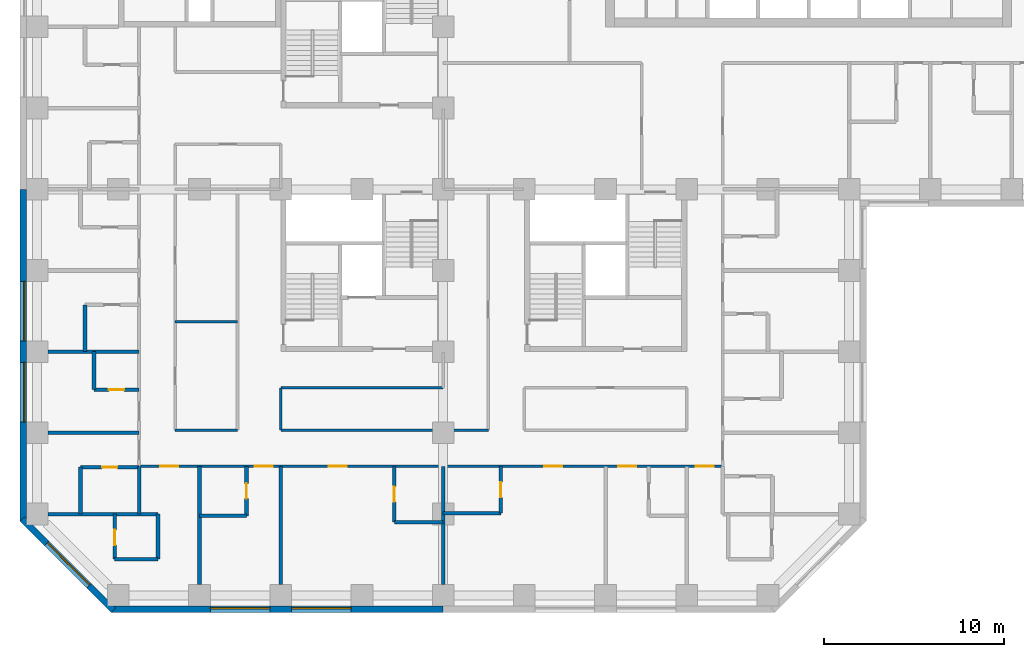
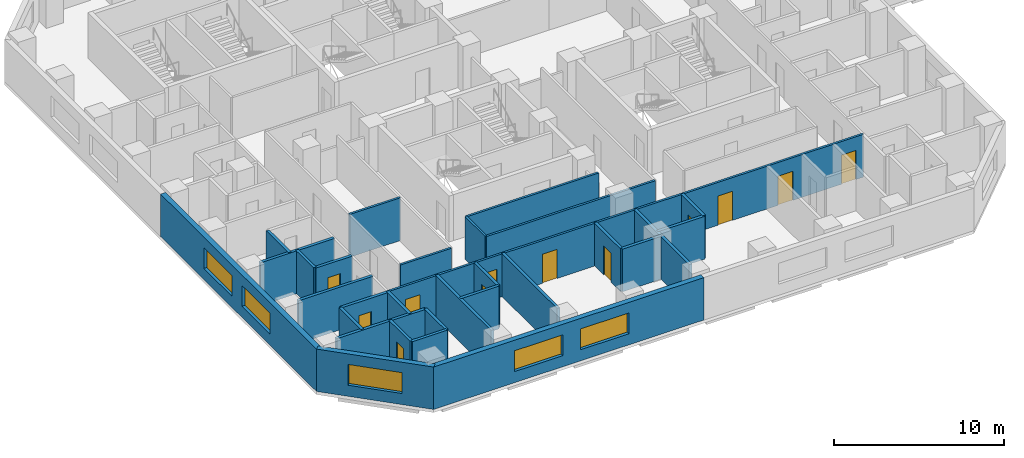
# One storey, part 2 of 12: 30 walls, 12 doors, 5 windows, 17 openings.
"""IFC4 building model written with IfcOpenShell, lengths in metres."""

from ifc_helpers import new_model, si_unit, direction, frame, frame_2d, origin, place, context, subcontext, project, spatial, rectangle, extrude, material, layer, layer_set, constituent, constituent_set, type_object, element, fill, save


model = new_model("IFC4")

# Units and contexts
model_context = context("Model", 3, precision=1e-05, world=origin(), true_north=direction((0.0, 1.0)))
body_context = subcontext(model_context, "Body", "Model", "MODEL_VIEW")
ifc_project = project(units=[si_unit("LENGTHUNIT", "METRE"), si_unit("AREAUNIT", "SQUARE_METRE"), si_unit("VOLUMEUNIT", "CUBIC_METRE"), si_unit("PLANEANGLEUNIT", "RADIAN"), si_unit("MASSUNIT", "GRAM", prefix="KILO")], contexts=[model_context])

# Site, building, storey
site_placement = place(None, origin())
site = spatial("IfcSite", under=ifc_project, at=site_placement, CompositionType="ELEMENT")
building_placement = place(site_placement, origin())
building = spatial("IfcBuilding", under=site, at=building_placement, Name="Quoin Convention Tower", CompositionType="ELEMENT")
storey_placement = place(building_placement, frame((0.0, 0.0, 59.39990234375)))
storey = spatial("IfcBuildingStorey", under=building, at=storey_placement, Name="L15", CompositionType="ELEMENT", Elevation=59.39990234375)

# Wall, opening, window
ifc_material_1 = material(Name="Brick masonry", Category="masonry")
ifc_layer_1 = layer(ifc_material_1, 0.35009765625)
ifc_layer_set_1 = layer_set([ifc_layer_1], Name="Brick masonry")
wall_type_1 = type_object("IfcWallType", Name="Brick facade wall", PredefinedType="STANDARD", material=ifc_layer_set_1)
wall_1_placement = place(storey_placement, frame((12.673583984375, 22.230224609375, 0.0), z_axis=(0.0, 0.0, 1.0), x_axis=(0.707106781187, -0.707106781187, 0.0)))
wall_1 = element("IfcWall", 1, at=wall_1_placement, inside=storey, type_object=wall_type_1, Name="fw-L15-13500_22500", PredefinedType="STANDARD", context=body_context, shape_type="SweptSolid", body=[
    extrude(rectangle(XDim=7.151123046875, YDim=0.35009765625, at=frame_2d((3.57568359375, 0.0))), origin(), (0.0, 0.0, 1.0), 3.05517578125),
])
opening_1_placement = place(wall_1_placement, frame((1.925537109375, 0.0, 0.800048828125)))
opening_1 = element("IfcOpeningElement", 2, at=opening_1_placement, cuts=wall_1, Name="Opening W-01", PredefinedType="OPENING", context=body_context, shape_type="SweptSolid", body=[
    extrude(rectangle(XDim=3.300048828125, YDim=1.5, at=frame_2d((1.64990234375, 0.75))), frame((0.0, 0.18505859375, 0.0), z_axis=(0.0, -1.0, 0.0), x_axis=(1.0, 0.0, 0.0)), (0.0, 0.0, 1.0), 0.3701171875),
])
ifc_material_2 = material(Name="Aluminium", Category="aluminium")
ifc_constituent_1 = constituent(ifc_material_2, Name="Frame")
ifc_material_3 = material(Name="Insulated glass", Category="glass")
ifc_constituent_2 = constituent(ifc_material_3, Name="Glazing")
ifc_constituent_set = constituent_set(constituents=[ifc_constituent_1, ifc_constituent_2], Name="Aluminium")
window_type = type_object("IfcWindowType", Name="Hotel strip window", PartitioningType="DOUBLE_PANEL_VERTICAL", PredefinedType="WINDOW", material=ifc_constituent_set)
window_1_placement = place(opening_1_placement, origin())
window_1 = element("IfcWindow", 3, at=window_1_placement, inside=storey, type_object=window_type, Name="win-L15-15202_19702", OverallHeight=1.5, OverallWidth=3.300048828125, PartitioningType="SINGLE_PANEL", PredefinedType="WINDOW", context=body_context, shape_type="SweptSolid", body=[
    extrude(rectangle(XDim=3.300048828125, YDim=1.5, at=frame_2d((1.64990234375, 0.75))), frame((0.0, 0.0849609375, 0.0), z_axis=(0.0, -1.0, 0.0), x_axis=(1.0, 0.0, 0.0)), (0.0, 0.0, 1.0), 0.06005859375),
])
fill(opening_1, window_1)

# Wall, openings, windows
wall_2_placement = place(storey_placement, frame((17.6064453125, 17.22509765625, 0.0), z_axis=(0.0, 0.0, 1.0), x_axis=(1.0, 0.0, 0.0)))
wall_2 = element("IfcWall", 4, at=wall_2_placement, inside=storey, type_object=wall_type_1, Name="fw-L15-18000_18000", PredefinedType="STANDARD", context=body_context, shape_type="SweptSolid", body=[
    extrude(rectangle(XDim=18.3935546875, YDim=0.35009765625, at=frame_2d((9.19677734375, 0.0))), origin(), (0.0, 0.0, 1.0), 3.05517578125),
])
opening_2_placement = place(wall_2_placement, frame((5.493408203125, 0.0, 0.800048828125)))
opening_2 = element("IfcOpeningElement", 5, at=opening_2_placement, cuts=wall_2, Name="Opening W-01", PredefinedType="OPENING", context=body_context, shape_type="SweptSolid", body=[
    extrude(rectangle(XDim=3.300048828125, YDim=1.5, at=frame_2d((1.64990234375, 0.75))), frame((0.0, 0.18505859375, 0.0), z_axis=(0.0, -1.0, 0.0), x_axis=(1.0, 0.0, 0.0)), (0.0, 0.0, 1.0), 0.3701171875),
])
opening_3_placement = place(wall_2_placement, frame((9.993408203125, 0.0, 0.800048828125)))
opening_3 = element("IfcOpeningElement", 6, at=opening_3_placement, cuts=wall_2, Name="Opening W-01", PredefinedType="OPENING", context=body_context, shape_type="SweptSolid", body=[
    extrude(rectangle(XDim=3.300048828125, YDim=1.5, at=frame_2d((1.64990234375, 0.75))), frame((0.0, 0.18505859375, 0.0), z_axis=(0.0, -1.0, 0.0), x_axis=(1.0, 0.0, 0.0)), (0.0, 0.0, 1.0), 0.3701171875),
])
window_2_placement = place(opening_2_placement, origin())
window_2 = element("IfcWindow", 7, at=window_2_placement, inside=storey, type_object=window_type, Name="win-L15-24750_17225", OverallHeight=1.5, OverallWidth=3.300048828125, PartitioningType="SINGLE_PANEL", PredefinedType="WINDOW", context=body_context, shape_type="SweptSolid", body=[
    extrude(rectangle(XDim=3.300048828125, YDim=1.5, at=frame_2d((1.64990234375, 0.75))), frame((0.0, 0.0849609375, 0.0), z_axis=(0.0, -1.0, 0.0), x_axis=(1.0, 0.0, 0.0)), (0.0, 0.0, 1.0), 0.06005859375),
])
fill(opening_2, window_2)
window_3_placement = place(opening_3_placement, origin())
window_3 = element("IfcWindow", 8, at=window_3_placement, inside=storey, type_object=window_type, Name="win-L15-29250_17225", OverallHeight=1.5, OverallWidth=3.300048828125, PartitioningType="SINGLE_PANEL", PredefinedType="WINDOW", context=body_context, shape_type="SweptSolid", body=[
    extrude(rectangle(XDim=3.300048828125, YDim=1.5, at=frame_2d((1.64990234375, 0.75))), frame((0.0, 0.0849609375, 0.0), z_axis=(0.0, -1.0, 0.0), x_axis=(1.0, 0.0, 0.0)), (0.0, 0.0, 1.0), 0.06005859375),
])
fill(opening_3, window_3)

wall_3_placement = place(storey_placement, frame((12.72509765625, 40.5, 0.0), z_axis=(0.0, 0.0, 1.0), x_axis=(0.0, -1.0, 0.0)))
wall_3 = element("IfcWall", 9, at=wall_3_placement, inside=storey, type_object=wall_type_1, Name="fw-L15-13500_40500", PredefinedType="STANDARD", context=body_context, shape_type="SweptSolid", body=[
    extrude(rectangle(XDim=18.3935546875, YDim=0.35009765625, at=frame_2d((9.19677734375, 0.0))), origin(), (0.0, 0.0, 1.0), 3.05517578125),
])
opening_4_placement = place(wall_3_placement, frame((5.10009765625, 0.0, 0.800048828125)))
opening_4 = element("IfcOpeningElement", 10, at=opening_4_placement, cuts=wall_3, Name="Opening W-01", PredefinedType="OPENING", context=body_context, shape_type="SweptSolid", body=[
    extrude(rectangle(XDim=3.300048828125, YDim=1.5, at=frame_2d((1.64990234375, 0.75))), frame((0.0, 0.18505859375, 0.0), z_axis=(0.0, -1.0, 0.0), x_axis=(1.0, 0.0, 0.0)), (0.0, 0.0, 1.0), 0.3701171875),
])
opening_5_placement = place(wall_3_placement, frame((9.60009765625, 0.0, 0.800048828125)))
opening_5 = element("IfcOpeningElement", 11, at=opening_5_placement, cuts=wall_3, Name="Opening W-01", PredefinedType="OPENING", context=body_context, shape_type="SweptSolid", body=[
    extrude(rectangle(XDim=3.300048828125, YDim=1.5, at=frame_2d((1.64990234375, 0.75))), frame((0.0, 0.18505859375, 0.0), z_axis=(0.0, -1.0, 0.0), x_axis=(1.0, 0.0, 0.0)), (0.0, 0.0, 1.0), 0.3701171875),
])
window_4_placement = place(opening_4_placement, origin())
window_4 = element("IfcWindow", 12, at=window_4_placement, inside=storey, type_object=window_type, Name="win-L15-12725_33750", OverallHeight=1.5, OverallWidth=3.300048828125, PartitioningType="SINGLE_PANEL", PredefinedType="WINDOW", context=body_context, shape_type="SweptSolid", body=[
    extrude(rectangle(XDim=3.300048828125, YDim=1.5, at=frame_2d((1.64990234375, 0.75))), frame((0.0, 0.0849609375, 0.0), z_axis=(0.0, -1.0, 0.0), x_axis=(1.0, 0.0, 0.0)), (0.0, 0.0, 1.0), 0.06005859375),
])
fill(opening_4, window_4)
window_5_placement = place(opening_5_placement, origin())
window_5 = element("IfcWindow", 13, at=window_5_placement, inside=storey, type_object=window_type, Name="win-L15-12725_29250", OverallHeight=1.5, OverallWidth=3.300048828125, PartitioningType="SINGLE_PANEL", PredefinedType="WINDOW", context=body_context, shape_type="SweptSolid", body=[
    extrude(rectangle(XDim=3.300048828125, YDim=1.5, at=frame_2d((1.64990234375, 0.75))), frame((0.0, 0.0849609375, 0.0), z_axis=(0.0, -1.0, 0.0), x_axis=(1.0, 0.0, 0.0)), (0.0, 0.0, 1.0), 0.06005859375),
])
fill(opening_5, window_5)

# Walls
ifc_material_4 = material(Name="Concrete C50", Category="concrete")
ifc_layer_2 = layer(ifc_material_4, 0.199951171875)
ifc_layer_set_2 = layer_set([ifc_layer_2], Name="Concrete C50")
wall_type_2 = type_object("IfcWallType", Name="RC party wall", PredefinedType="SOLIDWALL", material=ifc_layer_set_2)
for number, where, z_axis, x_axis, name in (
    (14, (22.5, 18.60009765625, 0.0), (0.0, 0.0, 1.0), (0.0, 1.0, 0.0), "pw-L15-039"),
    (15, (27.0, 18.60009765625, 0.0), (0.0, 0.0, 1.0), (0.0, 1.0, 0.0), "pw-L15-040"),
    (16, (36.0, 18.60009765625, 0.0), (0.0, 0.0, 1.0), (0.0, 1.0, 0.0), "pw-L15-041"),
):
    element("IfcWall", number, at=place(storey_placement, frame(where, z_axis=z_axis, x_axis=x_axis)), inside=storey, type_object=wall_type_2, Name=name, PredefinedType="SOLIDWALL", context=body_context, shape_type="SweptSolid", body=[
        extrude(rectangle(XDim=6.5498046875, YDim=0.199951171875, at=frame_2d((3.27490234375, 0.0))), origin(), (0.0, 0.0, 1.0), 3.080078125),
    ])
wall_4_placement = place(storey_placement, frame((17.800048828125, 20.0, 0.0), z_axis=(0.0, 0.0, 1.0), x_axis=(1.0, 0.0, 0.0)))
element("IfcWall", 17, at=wall_4_placement, inside=storey, type_object=wall_type_2, Name="pw-L15-044", PredefinedType="SOLIDWALL", context=body_context, shape_type="SweptSolid", body=[
    extrude(rectangle(XDim=2.39990234375, YDim=0.199951171875, at=frame_2d((1.199951171875, 0.0))), origin(), (0.0, 0.0, 1.0), 3.080078125),
])

# Wall, opening, door
wall_5_placement = place(storey_placement, frame((17.800048828125, 20.0, 0.0), z_axis=(0.0, 0.0, 1.0), x_axis=(0.0, 1.0, 0.0)))
wall_5 = element("IfcWall", 18, at=wall_5_placement, inside=storey, type_object=wall_type_2, Name="pw-L15-045", PredefinedType="SOLIDWALL", context=body_context, shape_type="SweptSolid", body=[
    extrude(rectangle(XDim=2.5, YDim=0.199951171875, at=frame_2d((1.25, 0.0))), origin(), (0.0, 0.0, 1.0), 3.080078125),
])
opening_6_placement = place(wall_5_placement, frame((0.77490234375, 0.0, 0.0)))
opening_6 = element("IfcOpeningElement", 19, at=opening_6_placement, cuts=wall_5, Name="Opening DHOTEL-D-42", PredefinedType="OPENING", context=body_context, shape_type="SweptSolid", body=[
    extrude(rectangle(XDim=0.85009765625, YDim=2.10009765625, at=frame_2d((0.425048828125, 1.050048828125))), frame((0.0, 0.10986328125, 0.0), z_axis=(0.0, -1.0, 0.0), x_axis=(1.0, 0.0, 0.0)), (0.0, 0.0, 1.0), 0.219970703125),
])
ifc_material_5 = material(Name="Steel door leaf", Category="steel")
door_type_1 = type_object("IfcDoorType", Name="Bathroom door", OperationType="SINGLE_SWING_LEFT", PredefinedType="DOOR", material=ifc_material_5)
door_1_placement = place(opening_6_placement, origin())
door_1 = element("IfcDoor", 20, at=door_1_placement, inside=storey, type_object=door_type_1, Name="dr-L15-060", OperationType="SINGLE_SWING_RIGHT", OverallHeight=2.10009765625, OverallWidth=0.85009765625, PredefinedType="DOOR", context=body_context, shape_type="SweptSolid", body=[
    extrude(rectangle(XDim=0.85009765625, YDim=2.10009765625, at=frame_2d((0.425048828125, 1.050048828125))), frame((0.0, 0.02490234375, 0.0), z_axis=(0.0, -1.0, 0.0), x_axis=(1.0, 0.0, 0.0)), (0.0, 0.0, 1.0), 0.050048828125),
])
fill(opening_6, door_1)

# Walls
wall_6_placement = place(storey_placement, frame((20.199951171875, 20.0, 0.0), z_axis=(0.0, 0.0, 1.0), x_axis=(0.0, 1.0, 0.0)))
element("IfcWall", 21, at=wall_6_placement, inside=storey, type_object=wall_type_2, Name="pw-L15-046", PredefinedType="SOLIDWALL", context=body_context, shape_type="SweptSolid", body=[
    extrude(rectangle(XDim=2.5, YDim=0.199951171875, at=frame_2d((1.25, 0.0))), origin(), (0.0, 0.0, 1.0), 3.080078125),
])
wall_7_placement = place(storey_placement, frame((33.300048828125, 22.050048828125, 0.0), z_axis=(0.0, 0.0, 1.0), x_axis=(1.0, 0.0, 0.0)))
element("IfcWall", 22, at=wall_7_placement, inside=storey, type_object=wall_type_2, Name="pw-L15-050", PredefinedType="SOLIDWALL", context=body_context, shape_type="SweptSolid", body=[
    extrude(rectangle(XDim=2.699951171875, YDim=0.199951171875, at=frame_2d((1.35009765625, 0.0))), origin(), (0.0, 0.0, 1.0), 3.080078125),
])

# Wall, opening, door
wall_8_placement = place(storey_placement, frame((33.300048828125, 22.050048828125, 0.0), z_axis=(0.0, 0.0, 1.0), x_axis=(0.0, 1.0, 0.0)))
wall_8 = element("IfcWall", 23, at=wall_8_placement, inside=storey, type_object=wall_type_2, Name="pw-L15-051", PredefinedType="SOLIDWALL", context=body_context, shape_type="SweptSolid", body=[
    extrude(rectangle(XDim=3.099853515625, YDim=0.199951171875, at=frame_2d((1.5498046875, 0.0))), origin(), (0.0, 0.0, 1.0), 3.080078125),
])
opening_7_placement = place(wall_8_placement, frame((1.125, 0.0, 0.0)))
opening_7 = element("IfcOpeningElement", 24, at=opening_7_placement, cuts=wall_8, Name="Opening DHOTEL-D-44", PredefinedType="OPENING", context=body_context, shape_type="SweptSolid", body=[
    extrude(rectangle(XDim=0.85009765625, YDim=2.10009765625, at=frame_2d((0.425048828125, 1.050048828125))), frame((0.0, 0.10986328125, 0.0), z_axis=(0.0, -1.0, 0.0), x_axis=(1.0, 0.0, 0.0)), (0.0, 0.0, 1.0), 0.219970703125),
])
door_2_placement = place(opening_7_placement, origin())
door_2 = element("IfcDoor", 25, at=door_2_placement, inside=storey, type_object=door_type_1, Name="dr-L15-004", OperationType="SINGLE_SWING_RIGHT", OverallHeight=2.10009765625, OverallWidth=0.85009765625, PredefinedType="DOOR", context=body_context, shape_type="SweptSolid", body=[
    extrude(rectangle(XDim=0.85009765625, YDim=2.10009765625, at=frame_2d((0.425048828125, 1.050048828125))), frame((0.0, 0.02490234375, 0.0), z_axis=(0.0, -1.0, 0.0), x_axis=(1.0, 0.0, 0.0)), (0.0, 0.0, 1.0), 0.050048828125),
])
fill(opening_7, door_2)

# Wall
wall_9_placement = place(storey_placement, frame((22.5, 22.39990234375, 0.0), z_axis=(0.0, 0.0, 1.0), x_axis=(1.0, 0.0, 0.0)))
element("IfcWall", 26, at=wall_9_placement, inside=storey, type_object=wall_type_2, Name="pw-L15-052", PredefinedType="SOLIDWALL", context=body_context, shape_type="SweptSolid", body=[
    extrude(rectangle(XDim=2.60009765625, YDim=0.199951171875, at=frame_2d((1.300048828125, 0.0))), origin(), (0.0, 0.0, 1.0), 3.080078125),
])

# Wall, opening, door
wall_10_placement = place(storey_placement, frame((25.10009765625, 22.39990234375, 0.0), z_axis=(0.0, 0.0, 1.0), x_axis=(0.0, 1.0, 0.0)))
wall_10 = element("IfcWall", 27, at=wall_10_placement, inside=storey, type_object=wall_type_2, Name="pw-L15-053", PredefinedType="SOLIDWALL", context=body_context, shape_type="SweptSolid", body=[
    extrude(rectangle(XDim=2.75, YDim=0.199951171875, at=frame_2d((1.375, 0.0))), origin(), (0.0, 0.0, 1.0), 3.080078125),
])
opening_8_placement = place(wall_10_placement, frame((0.949951171875, 0.0, 0.0)))
opening_8 = element("IfcOpeningElement", 28, at=opening_8_placement, cuts=wall_10, Name="Opening DHOTEL-D-45", PredefinedType="OPENING", context=body_context, shape_type="SweptSolid", body=[
    extrude(rectangle(XDim=0.85009765625, YDim=2.10009765625, at=frame_2d((0.425048828125, 1.050048828125))), frame((0.0, 0.10986328125, 0.0), z_axis=(0.0, -1.0, 0.0), x_axis=(1.0, 0.0, 0.0)), (0.0, 0.0, 1.0), 0.219970703125),
])
door_3_placement = place(opening_8_placement, frame((0.85009765625, 0.0, 0.0), z_axis=(0.0, 0.0, 1.0), x_axis=(-1.0, 0.0, 0.0)))
door_3 = element("IfcDoor", 29, at=door_3_placement, inside=storey, type_object=door_type_1, Name="dr-L15-002", OperationType="SINGLE_SWING_LEFT", OverallHeight=2.10009765625, OverallWidth=0.85009765625, PredefinedType="DOOR", context=body_context, shape_type="SweptSolid", body=[
    extrude(rectangle(XDim=0.85009765625, YDim=2.10009765625, at=frame_2d((0.425048828125, 1.050048828125))), frame((0.0, 0.02490234375, 0.0), z_axis=(0.0, -1.0, 0.0), x_axis=(1.0, 0.0, 0.0)), (0.0, 0.0, 1.0), 0.050048828125),
])
fill(opening_8, door_3)

# Walls
wall_11_placement = place(storey_placement, frame((14.10009765625, 22.5, 0.0), z_axis=(0.0, 0.0, 1.0), x_axis=(1.0, 0.0, 0.0)))
element("IfcWall", 30, at=wall_11_placement, inside=storey, type_object=wall_type_2, Name="pw-L15-056", PredefinedType="SOLIDWALL", context=body_context, shape_type="SweptSolid", body=[
    extrude(rectangle(XDim=6.099853515625, YDim=0.199951171875, at=frame_2d((3.0498046875, 0.0))), origin(), (0.0, 0.0, 1.0), 3.080078125),
])
wall_12_placement = place(storey_placement, frame((15.89990234375, 22.5, 0.0), z_axis=(0.0, 0.0, 1.0), x_axis=(0.0, 1.0, 0.0)))
element("IfcWall", 31, at=wall_12_placement, inside=storey, type_object=wall_type_2, Name="pw-L15-057", PredefinedType="SOLIDWALL", context=body_context, shape_type="SweptSolid", body=[
    extrude(rectangle(XDim=2.60009765625, YDim=0.199951171875, at=frame_2d((1.300048828125, 0.0))), origin(), (0.0, 0.0, 1.0), 3.080078125),
])
wall_13_placement = place(storey_placement, frame((19.14990234375, 22.5, 0.0), z_axis=(0.0, 0.0, 1.0), x_axis=(0.0, 1.0, 0.0)))
element("IfcWall", 32, at=wall_13_placement, inside=storey, type_object=wall_type_2, Name="pw-L15-058", PredefinedType="SOLIDWALL", context=body_context, shape_type="SweptSolid", body=[
    extrude(rectangle(XDim=2.64990234375, YDim=0.199951171875, at=frame_2d((1.324951171875, 0.0))), origin(), (0.0, 0.0, 1.0), 3.080078125),
])
wall_14_placement = place(storey_placement, frame((36.0, 22.550048828125, 0.0), z_axis=(0.0, 0.0, 1.0), x_axis=(1.0, 0.0, 0.0)))
element("IfcWall", 33, at=wall_14_placement, inside=storey, type_object=wall_type_2, Name="pw-L15-062", PredefinedType="SOLIDWALL", context=body_context, shape_type="SweptSolid", body=[
    extrude(rectangle(XDim=3.199951171875, YDim=0.199951171875, at=frame_2d((1.60009765625, 0.0))), origin(), (0.0, 0.0, 1.0), 3.080078125),
])

# Wall, opening, door
wall_15_placement = place(storey_placement, frame((39.199951171875, 22.550048828125, 0.0), z_axis=(0.0, 0.0, 1.0), x_axis=(0.0, 1.0, 0.0)))
wall_15 = element("IfcWall", 34, at=wall_15_placement, inside=storey, type_object=wall_type_2, Name="pw-L15-063", PredefinedType="SOLIDWALL", context=body_context, shape_type="SweptSolid", body=[
    extrude(rectangle(XDim=2.599853515625, YDim=0.199951171875, at=frame_2d((1.2998046875, 0.0))), origin(), (0.0, 0.0, 1.0), 3.080078125),
])
opening_9_placement = place(wall_15_placement, frame((0.875, 0.0, 0.0)))
opening_9 = element("IfcOpeningElement", 35, at=opening_9_placement, cuts=wall_15, Name="Opening DHOTEL-D-47", PredefinedType="OPENING", context=body_context, shape_type="SweptSolid", body=[
    extrude(rectangle(XDim=0.85009765625, YDim=2.10009765625, at=frame_2d((0.425048828125, 1.050048828125))), frame((0.0, 0.10986328125, 0.0), z_axis=(0.0, -1.0, 0.0), x_axis=(1.0, 0.0, 0.0)), (0.0, 0.0, 1.0), 0.219970703125),
])
door_4_placement = place(opening_9_placement, frame((0.85009765625, 0.0, 0.0), z_axis=(0.0, 0.0, 1.0), x_axis=(-1.0, 0.0, 0.0)))
door_4 = element("IfcDoor", 36, at=door_4_placement, inside=storey, type_object=door_type_1, Name="dr-L15-006", OperationType="SINGLE_SWING_LEFT", OverallHeight=2.10009765625, OverallWidth=0.85009765625, PredefinedType="DOOR", context=body_context, shape_type="SweptSolid", body=[
    extrude(rectangle(XDim=0.85009765625, YDim=2.10009765625, at=frame_2d((0.425048828125, 1.050048828125))), frame((0.0, 0.02490234375, 0.0), z_axis=(0.0, -1.0, 0.0), x_axis=(1.0, 0.0, 0.0)), (0.0, 0.0, 1.0), 0.050048828125),
])
fill(opening_9, door_4)

wall_16_placement = place(storey_placement, frame((15.89990234375, 25.10009765625, 0.0), z_axis=(0.0, 0.0, 1.0), x_axis=(1.0, 0.0, 0.0)))
wall_16 = element("IfcWall", 37, at=wall_16_placement, inside=storey, type_object=wall_type_2, Name="pw-L15-065", PredefinedType="SOLIDWALL", context=body_context, shape_type="SweptSolid", body=[
    extrude(rectangle(XDim=3.25, YDim=0.199951171875, at=frame_2d((1.625, 0.0))), origin(), (0.0, 0.0, 1.0), 3.080078125),
])
opening_10_placement = place(wall_16_placement, frame((1.199951171875, 0.0, 0.0)))
opening_10 = element("IfcOpeningElement", 38, at=opening_10_placement, cuts=wall_16, Name="Opening DHOTEL-D-49", PredefinedType="OPENING", context=body_context, shape_type="SweptSolid", body=[
    extrude(rectangle(XDim=0.85009765625, YDim=2.10009765625, at=frame_2d((0.425048828125, 1.050048828125))), frame((0.0, 0.10986328125, 0.0), z_axis=(0.0, -1.0, 0.0), x_axis=(1.0, 0.0, 0.0)), (0.0, 0.0, 1.0), 0.219970703125),
])
door_5_placement = place(opening_10_placement, origin())
door_5 = element("IfcDoor", 39, at=door_5_placement, inside=storey, type_object=door_type_1, Name="dr-L15-010", OperationType="SINGLE_SWING_RIGHT", OverallHeight=2.10009765625, OverallWidth=0.85009765625, PredefinedType="DOOR", context=body_context, shape_type="SweptSolid", body=[
    extrude(rectangle(XDim=0.85009765625, YDim=2.10009765625, at=frame_2d((0.425048828125, 1.050048828125))), frame((0.0, 0.02490234375, 0.0), z_axis=(0.0, -1.0, 0.0), x_axis=(1.0, 0.0, 0.0)), (0.0, 0.0, 1.0), 0.050048828125),
])
fill(opening_10, door_5)

# Wall
wall_17_placement = place(storey_placement, frame((14.10009765625, 27.0, 0.0), z_axis=(0.0, 0.0, 1.0), x_axis=(1.0, 0.0, 0.0)))
element("IfcWall", 40, at=wall_17_placement, inside=storey, type_object=wall_type_2, Name="pw-L15-066", PredefinedType="SOLIDWALL", context=body_context, shape_type="SweptSolid", body=[
    extrude(rectangle(XDim=5.0498046875, YDim=0.199951171875, at=frame_2d((2.52490234375, 0.0))), origin(), (0.0, 0.0, 1.0), 3.080078125),
])

# Wall, opening, door
wall_18_placement = place(storey_placement, frame((16.64990234375, 29.39990234375, 0.0), z_axis=(0.0, 0.0, 1.0), x_axis=(1.0, 0.0, 0.0)))
wall_18 = element("IfcWall", 41, at=wall_18_placement, inside=storey, type_object=wall_type_2, Name="pw-L15-070", PredefinedType="SOLIDWALL", context=body_context, shape_type="SweptSolid", body=[
    extrude(rectangle(XDim=2.5, YDim=0.199951171875, at=frame_2d((1.25, 0.0))), origin(), (0.0, 0.0, 1.0), 3.080078125),
])
opening_11_placement = place(wall_18_placement, frame((0.824951171875, 0.0, 0.0)))
opening_11 = element("IfcOpeningElement", 42, at=opening_11_placement, cuts=wall_18, Name="Opening DHOTEL-D-51", PredefinedType="OPENING", context=body_context, shape_type="SweptSolid", body=[
    extrude(rectangle(XDim=0.85009765625, YDim=2.10009765625, at=frame_2d((0.425048828125, 1.050048828125))), frame((0.0, 0.10986328125, 0.0), z_axis=(0.0, -1.0, 0.0), x_axis=(1.0, 0.0, 0.0)), (0.0, 0.0, 1.0), 0.219970703125),
])
door_6_placement = place(opening_11_placement, origin())
door_6 = element("IfcDoor", 43, at=door_6_placement, inside=storey, type_object=door_type_1, Name="dr-L15-012", OperationType="SINGLE_SWING_RIGHT", OverallHeight=2.10009765625, OverallWidth=0.85009765625, PredefinedType="DOOR", context=body_context, shape_type="SweptSolid", body=[
    extrude(rectangle(XDim=0.85009765625, YDim=2.10009765625, at=frame_2d((0.425048828125, 1.050048828125))), frame((0.0, 0.02490234375, 0.0), z_axis=(0.0, -1.0, 0.0), x_axis=(1.0, 0.0, 0.0)), (0.0, 0.0, 1.0), 0.050048828125),
])
fill(opening_11, door_6)

# Walls
wall_19_placement = place(storey_placement, frame((16.64990234375, 29.39990234375, 0.0), z_axis=(0.0, 0.0, 1.0), x_axis=(0.0, 1.0, 0.0)))
element("IfcWall", 44, at=wall_19_placement, inside=storey, type_object=wall_type_2, Name="pw-L15-071", PredefinedType="SOLIDWALL", context=body_context, shape_type="SweptSolid", body=[
    extrude(rectangle(XDim=2.10009765625, YDim=0.199951171875, at=frame_2d((1.050048828125, 0.0))), origin(), (0.0, 0.0, 1.0), 3.080078125),
])
wall_20_placement = place(storey_placement, frame((14.10009765625, 31.5, 0.0), z_axis=(0.0, 0.0, 1.0), x_axis=(1.0, 0.0, 0.0)))
element("IfcWall", 45, at=wall_20_placement, inside=storey, type_object=wall_type_2, Name="pw-L15-072", PredefinedType="SOLIDWALL", context=body_context, shape_type="SweptSolid", body=[
    extrude(rectangle(XDim=5.0498046875, YDim=0.199951171875, at=frame_2d((2.52490234375, 0.0))), origin(), (0.0, 0.0, 1.0), 3.080078125),
])
wall_21_placement = place(storey_placement, frame((16.14990234375, 31.5, 0.0), z_axis=(0.0, 0.0, 1.0), x_axis=(0.0, 1.0, 0.0)))
element("IfcWall", 46, at=wall_21_placement, inside=storey, type_object=wall_type_2, Name="pw-L15-073", PredefinedType="SOLIDWALL", context=body_context, shape_type="SweptSolid", body=[
    extrude(rectangle(XDim=2.60009765625, YDim=0.199951171875, at=frame_2d((1.300048828125, 0.0))), origin(), (0.0, 0.0, 1.0), 3.080078125),
])

# Wall, openings, doors
ifc_material_6 = material(Name="Plasterboard")
ifc_layer_3 = layer(ifc_material_6, 0.012451171875, Name="Finish")
ifc_material_7 = material(Name="Steel stud framing", Category="steel")
ifc_layer_4 = layer(ifc_material_7, 0.125, Name="Structure")
ifc_layer_5 = layer(ifc_material_6, 0.012451171875, Name="Finish")
ifc_layer_set_3 = layer_set([ifc_layer_3, ifc_layer_4, ifc_layer_5], Name="Steel stud framing")
wall_type_3 = type_object("IfcWallType", Name="corridor partition", PredefinedType="PARTITIONING", material=ifc_layer_set_3)
wall_22_placement = place(storey_placement, frame((19.14990234375, 25.14990234375, 0.0), z_axis=(0.0, 0.0, 1.0), x_axis=(1.0, 0.0, 0.0)))
wall_22 = element("IfcWall", 47, at=wall_22_placement, inside=storey, type_object=wall_type_3, Name="pw-L15-005", PredefinedType="PARTITIONING", context=body_context, shape_type="SweptSolid", body=[
    extrude(rectangle(XDim=32.35009765625, YDim=0.14990234375, at=frame_2d((16.175048828125, 0.0))), origin(), (0.0, 0.0, 1.0), 3.080078125),
])
opening_12_placement = place(wall_22_placement, frame((6.39990234375, 0.0, 0.0)))
opening_12 = element("IfcOpeningElement", 48, at=opening_12_placement, cuts=wall_22, Name="Opening DHOTEL-D-02", PredefinedType="OPENING", context=body_context, shape_type="SweptSolid", body=[
    extrude(rectangle(XDim=1.0, YDim=2.10009765625, at=frame_2d((0.5, 1.050048828125))), frame((0.0, 0.0849609375, 0.0), z_axis=(0.0, -1.0, 0.0), x_axis=(1.0, 0.0, 0.0)), (0.0, 0.0, 1.0), 0.169921875),
])
opening_13_placement = place(wall_22_placement, frame((10.5, 0.0, 0.0)))
opening_13 = element("IfcOpeningElement", 49, at=opening_13_placement, cuts=wall_22, Name="Opening DHOTEL-D-03", PredefinedType="OPENING", context=body_context, shape_type="SweptSolid", body=[
    extrude(rectangle(XDim=1.0, YDim=2.10009765625, at=frame_2d((0.5, 1.050048828125))), frame((0.0, 0.0849609375, 0.0), z_axis=(0.0, -1.0, 0.0), x_axis=(1.0, 0.0, 0.0)), (0.0, 0.0, 1.0), 0.169921875),
])
opening_14_placement = place(wall_22_placement, frame((22.449951171875, 0.0, 0.0)))
opening_14 = element("IfcOpeningElement", 50, at=opening_14_placement, cuts=wall_22, Name="Opening DHOTEL-D-04", PredefinedType="OPENING", context=body_context, shape_type="SweptSolid", body=[
    extrude(rectangle(XDim=1.0, YDim=2.10009765625, at=frame_2d((0.5, 1.050048828125))), frame((0.0, 0.0849609375, 0.0), z_axis=(0.0, -1.0, 0.0), x_axis=(1.0, 0.0, 0.0)), (0.0, 0.0, 1.0), 0.169921875),
])
opening_15_placement = place(wall_22_placement, frame((26.550048828125, 0.0, 0.0)))
opening_15 = element("IfcOpeningElement", 51, at=opening_15_placement, cuts=wall_22, Name="Opening DHOTEL-D-05", PredefinedType="OPENING", context=body_context, shape_type="SweptSolid", body=[
    extrude(rectangle(XDim=1.0, YDim=2.10009765625, at=frame_2d((0.5, 1.050048828125))), frame((0.0, 0.0849609375, 0.0), z_axis=(0.0, -1.0, 0.0), x_axis=(1.0, 0.0, 0.0)), (0.0, 0.0, 1.0), 0.169921875),
])
opening_16_placement = place(wall_22_placement, frame((1.175048828125, 0.0, 0.0)))
opening_16 = element("IfcOpeningElement", 52, at=opening_16_placement, cuts=wall_22, Name="Opening DHOTEL-D-01", PredefinedType="OPENING", context=body_context, shape_type="SweptSolid", body=[
    extrude(rectangle(XDim=1.0, YDim=2.10009765625, at=frame_2d((0.5, 1.050048828125))), frame((0.0, 0.0849609375, 0.0), z_axis=(0.0, -1.0, 0.0), x_axis=(1.0, 0.0, 0.0)), (0.0, 0.0, 1.0), 0.169921875),
])
opening_17_placement = place(wall_22_placement, frame((30.85009765625, 0.0, 0.0)))
opening_17 = element("IfcOpeningElement", 53, at=opening_17_placement, cuts=wall_22, Name="Opening DHOTEL-D-06", PredefinedType="OPENING", context=body_context, shape_type="SweptSolid", body=[
    extrude(rectangle(XDim=1.0, YDim=2.10009765625, at=frame_2d((0.5, 1.050048828125))), frame((0.0, 0.0849609375, 0.0), z_axis=(0.0, -1.0, 0.0), x_axis=(1.0, 0.0, 0.0)), (0.0, 0.0, 1.0), 0.169921875),
])
door_type_2 = type_object("IfcDoorType", Name="Hotel room door", OperationType="SINGLE_SWING_LEFT", PredefinedType="DOOR", material=ifc_material_5)
door_7_placement = place(opening_12_placement, frame((1.0, 0.0, 0.0), z_axis=(0.0, 0.0, 1.0), x_axis=(-1.0, 0.0, 0.0)))
door_7 = element("IfcDoor", 54, at=door_7_placement, inside=storey, type_object=door_type_2, Name="dr-L15-001", OperationType="SINGLE_SWING_LEFT", OverallHeight=2.10009765625, OverallWidth=1.0, PredefinedType="DOOR", context=body_context, shape_type="SweptSolid", body=[
    extrude(rectangle(XDim=1.0, YDim=2.10009765625, at=frame_2d((0.5, 1.050048828125))), frame((0.0, 0.02490234375, 0.0), z_axis=(0.0, -1.0, 0.0), x_axis=(1.0, 0.0, 0.0)), (0.0, 0.0, 1.0), 0.050048828125),
])
fill(opening_12, door_7)
door_8_placement = place(opening_13_placement, frame((1.0, 0.0, 0.0), z_axis=(0.0, 0.0, 1.0), x_axis=(-1.0, 0.0, 0.0)))
door_8 = element("IfcDoor", 55, at=door_8_placement, inside=storey, type_object=door_type_2, Name="dr-L15-003", OperationType="SINGLE_SWING_LEFT", OverallHeight=2.10009765625, OverallWidth=1.0, PredefinedType="DOOR", context=body_context, shape_type="SweptSolid", body=[
    extrude(rectangle(XDim=1.0, YDim=2.10009765625, at=frame_2d((0.5, 1.050048828125))), frame((0.0, 0.02490234375, 0.0), z_axis=(0.0, -1.0, 0.0), x_axis=(1.0, 0.0, 0.0)), (0.0, 0.0, 1.0), 0.050048828125),
])
fill(opening_13, door_8)
door_9_placement = place(opening_14_placement, frame((1.0, 0.0, 0.0), z_axis=(0.0, 0.0, 1.0), x_axis=(-1.0, 0.0, 0.0)))
door_9 = element("IfcDoor", 56, at=door_9_placement, inside=storey, type_object=door_type_2, Name="dr-L15-005", OperationType="SINGLE_SWING_LEFT", OverallHeight=2.10009765625, OverallWidth=1.0, PredefinedType="DOOR", context=body_context, shape_type="SweptSolid", body=[
    extrude(rectangle(XDim=1.0, YDim=2.10009765625, at=frame_2d((0.5, 1.050048828125))), frame((0.0, 0.02490234375, 0.0), z_axis=(0.0, -1.0, 0.0), x_axis=(1.0, 0.0, 0.0)), (0.0, 0.0, 1.0), 0.050048828125),
])
fill(opening_14, door_9)
door_10_placement = place(opening_15_placement, frame((1.0, 0.0, 0.0), z_axis=(0.0, 0.0, 1.0), x_axis=(-1.0, 0.0, 0.0)))
door_10 = element("IfcDoor", 57, at=door_10_placement, inside=storey, type_object=door_type_2, Name="dr-L15-007", OperationType="SINGLE_SWING_LEFT", OverallHeight=2.10009765625, OverallWidth=1.0, PredefinedType="DOOR", context=body_context, shape_type="SweptSolid", body=[
    extrude(rectangle(XDim=1.0, YDim=2.10009765625, at=frame_2d((0.5, 1.050048828125))), frame((0.0, 0.02490234375, 0.0), z_axis=(0.0, -1.0, 0.0), x_axis=(1.0, 0.0, 0.0)), (0.0, 0.0, 1.0), 0.050048828125),
])
fill(opening_15, door_10)
door_11_placement = place(opening_16_placement, frame((1.0, 0.0, 0.0), z_axis=(0.0, 0.0, 1.0), x_axis=(-1.0, 0.0, 0.0)))
door_11 = element("IfcDoor", 58, at=door_11_placement, inside=storey, type_object=door_type_2, Name="dr-L15-059", OperationType="SINGLE_SWING_LEFT", OverallHeight=2.10009765625, OverallWidth=1.0, PredefinedType="DOOR", context=body_context, shape_type="SweptSolid", body=[
    extrude(rectangle(XDim=1.0, YDim=2.10009765625, at=frame_2d((0.5, 1.050048828125))), frame((0.0, 0.02490234375, 0.0), z_axis=(0.0, -1.0, 0.0), x_axis=(1.0, 0.0, 0.0)), (0.0, 0.0, 1.0), 0.050048828125),
])
fill(opening_16, door_11)
door_12_placement = place(opening_17_placement, frame((1.0, 0.0, 0.0), z_axis=(0.0, 0.0, 1.0), x_axis=(-1.0, 0.0, 0.0)))
door_12 = element("IfcDoor", 59, at=door_12_placement, inside=storey, type_object=door_type_2, Name="dr-L15-061", OperationType="SINGLE_SWING_LEFT", OverallHeight=2.10009765625, OverallWidth=1.0, PredefinedType="DOOR", context=body_context, shape_type="SweptSolid", body=[
    extrude(rectangle(XDim=1.0, YDim=2.10009765625, at=frame_2d((0.5, 1.050048828125))), frame((0.0, 0.02490234375, 0.0), z_axis=(0.0, -1.0, 0.0), x_axis=(1.0, 0.0, 0.0)), (0.0, 0.0, 1.0), 0.050048828125),
])
fill(opening_17, door_12)

# Walls
wall_23_placement = place(storey_placement, frame((21.14990234375, 27.14990234375, 0.0), z_axis=(0.0, 0.0, 1.0), x_axis=(1.0, 0.0, 0.0)))
element("IfcWall", 60, at=wall_23_placement, inside=storey, type_object=wall_type_3, Name="pw-L15-008", PredefinedType="PARTITIONING", context=body_context, shape_type="SweptSolid", body=[
    extrude(rectangle(XDim=3.4501953125, YDim=0.14990234375, at=frame_2d((1.72509765625, 0.0))), origin(), (0.0, 0.0, 1.0), 3.080078125),
])
wall_24_placement = place(storey_placement, frame((27.0, 27.14990234375, 0.0), z_axis=(0.0, 0.0, 1.0), x_axis=(1.0, 0.0, 0.0)))
element("IfcWall", 61, at=wall_24_placement, inside=storey, type_object=wall_type_3, Name="pw-L15-011", PredefinedType="PARTITIONING", context=body_context, shape_type="SweptSolid", body=[
    extrude(rectangle(XDim=11.5, YDim=0.14990234375, at=frame_2d((5.75, 0.0))), origin(), (0.0, 0.0, 1.0), 3.080078125),
])
wall_25_placement = place(storey_placement, frame((27.0, 27.14990234375, 0.0), z_axis=(0.0, 0.0, 1.0), x_axis=(0.0, 1.0, 0.0)))
element("IfcWall", 62, at=wall_25_placement, inside=storey, type_object=wall_type_3, Name="pw-L15-012", PredefinedType="PARTITIONING", context=body_context, shape_type="SweptSolid", body=[
    extrude(rectangle(XDim=2.35009765625, YDim=0.14990234375, at=frame_2d((1.175048828125, 0.0))), origin(), (0.0, 0.0, 1.0), 3.080078125),
])
wall_26_placement = place(storey_placement, frame((27.0, 29.5, 0.0), z_axis=(0.0, 0.0, 1.0), x_axis=(1.0, 0.0, 0.0)))
element("IfcWall", 63, at=wall_26_placement, inside=storey, type_object=wall_type_3, Name="pw-L15-017", PredefinedType="PARTITIONING", context=body_context, shape_type="SweptSolid", body=[
    extrude(rectangle(XDim=9.0, YDim=0.14990234375, at=frame_2d((4.5, 0.0))), origin(), (0.0, 0.0, 1.0), 3.080078125),
])
ifc_layer_6 = layer(ifc_material_6, 0.012451171875, Name="Finish")
ifc_layer_7 = layer(ifc_material_7, 0.125, Name="Structure")
ifc_layer_8 = layer(ifc_material_6, 0.012451171875, Name="Finish")
ifc_layer_set_4 = layer_set([ifc_layer_6, ifc_layer_7, ifc_layer_8], Name="Steel stud framing")
wall_type_4 = type_object("IfcWallType", Name="room partition", PredefinedType="PARTITIONING", material=ifc_layer_set_4)
wall_27_placement = place(storey_placement, frame((21.14990234375, 33.14990234375, 0.0), z_axis=(0.0, 0.0, 1.0), x_axis=(1.0, 0.0, 0.0)))
element("IfcWall", 64, at=wall_27_placement, inside=storey, type_object=wall_type_4, Name="pw-L15-158", PredefinedType="PARTITIONING", context=body_context, shape_type="SweptSolid", body=[
    extrude(rectangle(XDim=3.4501953125, YDim=0.14990234375, at=frame_2d((1.72509765625, 0.0))), origin(), (0.0, 0.0, 1.0), 3.080078125),
])

save(model, "model.ifc")
